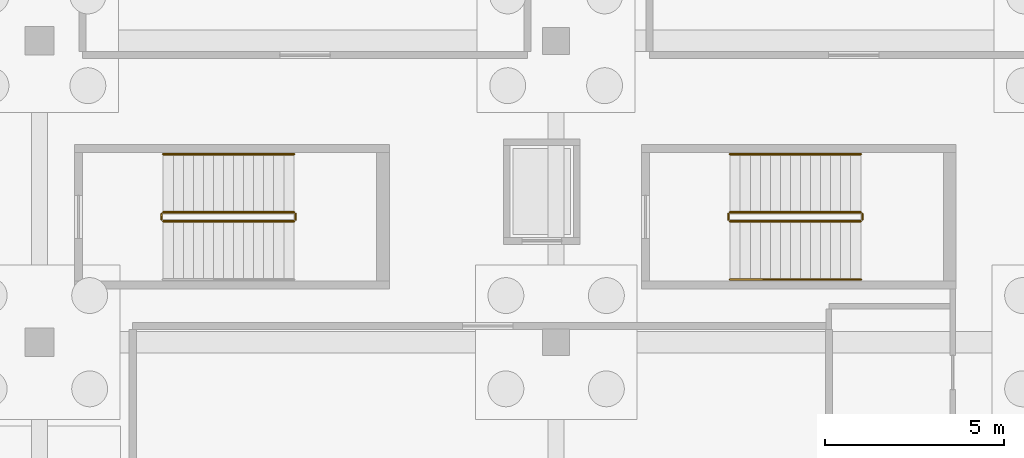
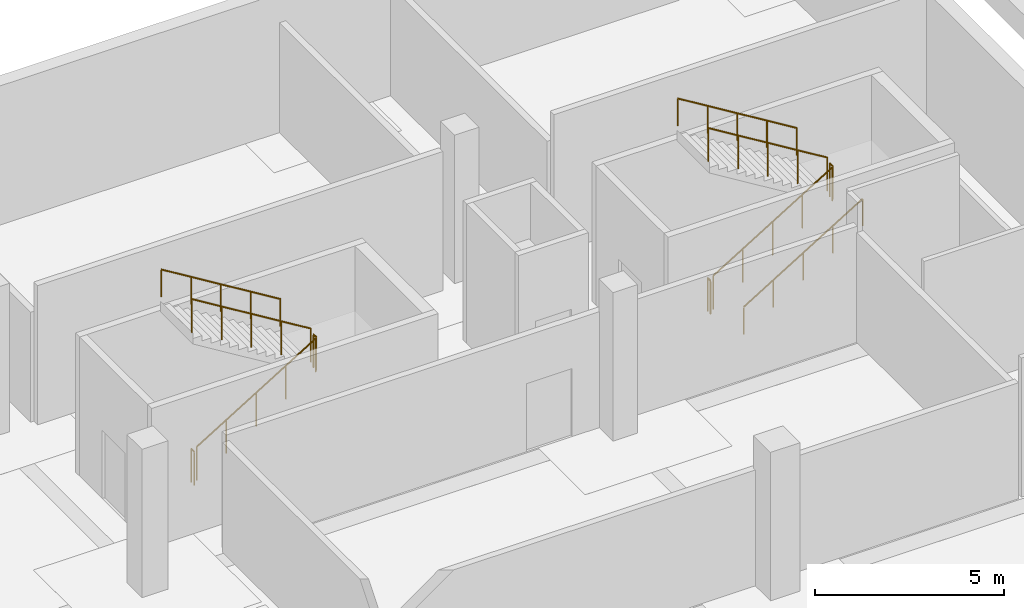
# One storey, part 25 of 26: 11 railings.
"""IFC4 building model written with IfcOpenShell, lengths in metres."""

from ifc_helpers import new_model, si_unit, direction, frame, origin, origin_2d, place, context, subcontext, project, spatial, circle, extrude, material, type_object, element, save


model = new_model("IFC4")

# Units and contexts
model_context = context("Model", 3, precision=1e-05, world=origin(), true_north=direction((0.0, 1.0)))
body_context = subcontext(model_context, "Body", "Model", "MODEL_VIEW")
ifc_project = project(units=[si_unit("LENGTHUNIT", "METRE"), si_unit("AREAUNIT", "SQUARE_METRE"), si_unit("VOLUMEUNIT", "CUBIC_METRE"), si_unit("PLANEANGLEUNIT", "RADIAN"), si_unit("MASSUNIT", "GRAM", prefix="KILO"), si_unit("THERMODYNAMICTEMPERATUREUNIT", "KELVIN")], contexts=[model_context])

# Site, building, storey
site_placement = place(None, origin())
site = spatial("IfcSite", under=ifc_project, at=site_placement, CompositionType="ELEMENT")
building_placement = place(site_placement, origin())
building = spatial("IfcBuilding", under=site, at=building_placement, Name="Nduvali Passage Aquatics Centre", CompositionType="ELEMENT")
storey_placement = place(building_placement, frame((0.0, 0.0, -4.800048828125)))
storey = spatial("IfcBuildingStorey", under=building, at=storey_placement, Name="B01", CompositionType="ELEMENT", Elevation=-4.800048828125)

# Railings
ifc_material = material(Name="Stainless steel balustrade", Category="steel")
railing_type_1 = type_object("IfcRailingType", Name="INT-RLG-GRD110", PredefinedType="GUARDRAIL", material=ifc_material)
railing_1_placement = place(storey_placement, frame((116.449951171875, 104.169921875, 0.17138671875)))
element("IfcRailing", 1, at=railing_1_placement, inside=storey, type_object=railing_type_1, Name="B01 ST2 stair guard 1", PredefinedType="GUARDRAIL", context=body_context, shape_type="SweptSolid", body=[
    extrude(circle(Radius=0.02392578125, at=origin_2d()), frame((0.0, 0.0, 1.076171875), z_axis=(0.852840387347, 0.0, 0.522171689878), x_axis=(0.0, 1.0, 0.0)), (0.0, 0.0, 1.0), 4.268310546875),
    extrude(circle(Radius=0.02099609375, at=origin_2d()), origin(), (0.0, 0.0, 1.0), 1.052001953125),
    extrude(circle(Radius=0.02099609375, at=origin_2d()), frame((0.91015625, 0.0, 0.55712890625)), (0.0, 0.0, 1.0), 1.052001953125),
    extrude(circle(Radius=0.02099609375, at=origin_2d()), frame((1.820068359375, 0.0, 1.1142578125)), (0.0, 0.0, 1.0), 1.052001953125),
    extrude(circle(Radius=0.02099609375, at=origin_2d()), frame((2.72998046875, 0.0, 1.671630859375)), (0.0, 0.0, 1.0), 1.052001953125),
    extrude(circle(Radius=0.02099609375, at=origin_2d()), frame((3.64013671875, 0.0, 2.228759765625)), (0.0, 0.0, 1.0), 1.052001953125),
])
railing_2_placement = place(storey_placement, frame((120.139892578125, 104.219970703125, 2.400146484375)))
element("IfcRailing", 2, at=railing_2_placement, inside=storey, type_object=railing_type_1, Name="B01 ST2 stair guard 2", PredefinedType="GUARDRAIL", context=body_context, shape_type="SweptSolid", body=[
    extrude(circle(Radius=0.02392578125, at=origin_2d()), frame((0.0, 0.0, 1.076171875), z_axis=(0.0, 1.0, 0.0), x_axis=(-1.0, 0.0, 0.0)), (0.0, 0.0, 1.0), 0.150146484375),
    extrude(circle(Radius=0.02099609375, at=origin_2d()), origin(), (0.0, 0.0, 1.0), 1.052001953125),
    extrude(circle(Radius=0.02099609375, at=origin_2d()), frame((0.0, 0.150146484375, 0.0)), (0.0, 0.0, 1.0), 1.052001953125),
])
railing_3_placement = place(storey_placement, frame((120.090087890625, 104.419921875, 2.571533203125)))
element("IfcRailing", 3, at=railing_3_placement, inside=storey, type_object=railing_type_1, Name="B01 ST2 stair guard 3", PredefinedType="GUARDRAIL", context=body_context, shape_type="SweptSolid", body=[
    extrude(circle(Radius=0.02392578125, at=origin_2d()), frame((0.0, 0.0, 1.076171875), z_axis=(-0.852865859571, 0.0, 0.52213008492), x_axis=(0.0, -1.0, 0.0)), (0.0, 0.0, 1.0), 4.26806640625),
    extrude(circle(Radius=0.02099609375, at=origin_2d()), origin(), (0.0, 0.0, 1.0), 1.052001953125),
    extrude(circle(Radius=0.02099609375, at=origin_2d()), frame((-0.91015625, 0.0, 0.55712890625)), (0.0, 0.0, 1.0), 1.052001953125),
    extrude(circle(Radius=0.02099609375, at=origin_2d()), frame((-1.820068359375, 0.0, 1.1142578125)), (0.0, 0.0, 1.0), 1.052001953125),
    extrude(circle(Radius=0.02099609375, at=origin_2d()), frame((-2.72998046875, 0.0, 1.67138671875)), (0.0, 0.0, 1.0), 1.052001953125),
    extrude(circle(Radius=0.02099609375, at=origin_2d()), frame((-3.64013671875, 0.0, 2.228515625)), (0.0, 0.0, 1.0), 1.052001953125),
])
railing_4_placement = place(storey_placement, frame((116.39990234375, 104.219970703125, 0.0)))
element("IfcRailing", 4, at=railing_4_placement, inside=storey, type_object=railing_type_1, Name="B01 ST2 stair guard 4", PredefinedType="GUARDRAIL", context=body_context, shape_type="SweptSolid", body=[
    extrude(circle(Radius=0.02392578125, at=origin_2d()), frame((0.0, 0.0, 1.076171875), z_axis=(0.0, 1.0, 0.0), x_axis=(-1.0, 0.0, 0.0)), (0.0, 0.0, 1.0), 0.150146484375),
    extrude(circle(Radius=0.02099609375, at=origin_2d()), origin(), (0.0, 0.0, 1.0), 1.052001953125),
    extrude(circle(Radius=0.02099609375, at=origin_2d()), frame((0.0, 0.150146484375, 0.0)), (0.0, 0.0, 1.0), 1.052001953125),
])
railing_5_placement = place(storey_placement, frame((100.64990234375, 104.169921875, 0.17138671875)))
element("IfcRailing", 5, at=railing_5_placement, inside=storey, type_object=railing_type_1, Name="B01 ST11 stair guard 1", PredefinedType="GUARDRAIL", context=body_context, shape_type="SweptSolid", body=[
    extrude(circle(Radius=0.02392578125, at=origin_2d()), frame((0.0, 0.0, 1.076171875), z_axis=(0.852840387347, 0.0, 0.522171689878), x_axis=(0.0, 1.0, 0.0)), (0.0, 0.0, 1.0), 4.268310546875),
    extrude(circle(Radius=0.02099609375, at=origin_2d()), origin(), (0.0, 0.0, 1.0), 1.052001953125),
    extrude(circle(Radius=0.02099609375, at=origin_2d()), frame((0.91015625, 0.0, 0.55712890625)), (0.0, 0.0, 1.0), 1.052001953125),
    extrude(circle(Radius=0.02099609375, at=origin_2d()), frame((1.820068359375, 0.0, 1.1142578125)), (0.0, 0.0, 1.0), 1.052001953125),
    extrude(circle(Radius=0.02099609375, at=origin_2d()), frame((2.72998046875, 0.0, 1.671630859375)), (0.0, 0.0, 1.0), 1.052001953125),
    extrude(circle(Radius=0.02099609375, at=origin_2d()), frame((3.64013671875, 0.0, 2.228759765625)), (0.0, 0.0, 1.0), 1.052001953125),
])
railing_6_placement = place(storey_placement, frame((104.340087890625, 104.219970703125, 2.400146484375)))
element("IfcRailing", 6, at=railing_6_placement, inside=storey, type_object=railing_type_1, Name="B01 ST11 stair guard 2", PredefinedType="GUARDRAIL", context=body_context, shape_type="SweptSolid", body=[
    extrude(circle(Radius=0.02392578125, at=origin_2d()), frame((0.0, 0.0, 1.076171875), z_axis=(0.0, 1.0, 0.0), x_axis=(-1.0, 0.0, 0.0)), (0.0, 0.0, 1.0), 0.150146484375),
    extrude(circle(Radius=0.02099609375, at=origin_2d()), origin(), (0.0, 0.0, 1.0), 1.052001953125),
    extrude(circle(Radius=0.02099609375, at=origin_2d()), frame((0.0, 0.150146484375, 0.0)), (0.0, 0.0, 1.0), 1.052001953125),
])
railing_7_placement = place(storey_placement, frame((104.2900390625, 104.419921875, 2.571533203125)))
element("IfcRailing", 7, at=railing_7_placement, inside=storey, type_object=railing_type_1, Name="B01 ST11 stair guard 3", PredefinedType="GUARDRAIL", context=body_context, shape_type="SweptSolid", body=[
    extrude(circle(Radius=0.02392578125, at=origin_2d()), frame((0.0, 0.0, 1.076171875), z_axis=(-0.852865859571, 0.0, 0.52213008492), x_axis=(0.0, -1.0, 0.0)), (0.0, 0.0, 1.0), 4.26806640625),
    extrude(circle(Radius=0.02099609375, at=origin_2d()), origin(), (0.0, 0.0, 1.0), 1.052001953125),
    extrude(circle(Radius=0.02099609375, at=origin_2d()), frame((-0.91015625, 0.0, 0.55712890625)), (0.0, 0.0, 1.0), 1.052001953125),
    extrude(circle(Radius=0.02099609375, at=origin_2d()), frame((-1.820068359375, 0.0, 1.1142578125)), (0.0, 0.0, 1.0), 1.052001953125),
    extrude(circle(Radius=0.02099609375, at=origin_2d()), frame((-2.72998046875, 0.0, 1.67138671875)), (0.0, 0.0, 1.0), 1.052001953125),
    extrude(circle(Radius=0.02099609375, at=origin_2d()), frame((-3.64013671875, 0.0, 2.228515625)), (0.0, 0.0, 1.0), 1.052001953125),
])
railing_8_placement = place(storey_placement, frame((100.60009765625, 104.219970703125, 0.0)))
element("IfcRailing", 8, at=railing_8_placement, inside=storey, type_object=railing_type_1, Name="B01 ST11 stair guard 4", PredefinedType="GUARDRAIL", context=body_context, shape_type="SweptSolid", body=[
    extrude(circle(Radius=0.02392578125, at=origin_2d()), frame((0.0, 0.0, 1.076171875), z_axis=(0.0, 1.0, 0.0), x_axis=(-1.0, 0.0, 0.0)), (0.0, 0.0, 1.0), 0.150146484375),
    extrude(circle(Radius=0.02099609375, at=origin_2d()), origin(), (0.0, 0.0, 1.0), 1.052001953125),
    extrude(circle(Radius=0.02099609375, at=origin_2d()), frame((0.0, 0.150146484375, 0.0)), (0.0, 0.0, 1.0), 1.052001953125),
])
railing_type_2 = type_object("IfcRailingType", Name="INT-RLG-HND90", PredefinedType="HANDRAIL", material=ifc_material)
railing_9_placement = place(storey_placement, frame((116.449951171875, 102.550048828125, 0.346435546875)))
element("IfcRailing", 9, at=railing_9_placement, inside=storey, type_object=railing_type_2, Name="B01 ST2 stair handrail 1", PredefinedType="HANDRAIL", context=body_context, shape_type="SweptSolid", body=[
    extrude(circle(Radius=0.02392578125, at=origin_2d()), frame((0.0, 0.0, 0.8759765625), z_axis=(0.852865859571, 0.0, 0.52213008492), x_axis=(0.0, 1.0, 0.0)), (0.0, 0.0, 1.0), 4.26806640625),
    extrude(circle(Radius=0.02099609375, at=origin_2d()), origin(), (0.0, 0.0, 1.0), 0.851806640625),
    extrude(circle(Radius=0.02099609375, at=origin_2d()), frame((0.91015625, 0.0, 0.55712890625)), (0.0, 0.0, 1.0), 0.851806640625),
    extrude(circle(Radius=0.02099609375, at=origin_2d()), frame((1.820068359375, 0.0, 1.1142578125)), (0.0, 0.0, 1.0), 0.851806640625),
    extrude(circle(Radius=0.02099609375, at=origin_2d()), frame((2.72998046875, 0.0, 1.67138671875)), (0.0, 0.0, 1.0), 0.851806640625),
    extrude(circle(Radius=0.02099609375, at=origin_2d()), frame((3.64013671875, 0.0, 2.228515625)), (0.0, 0.0, 1.0), 0.851806640625),
])
for number, where, name in (
    (10, (120.090087890625, 106.0400390625, 2.746337890625), "B01 ST2 stair handrail 2"),
    (11, (104.2900390625, 106.0400390625, 2.746337890625), "B01 ST11 stair handrail 2"),
):
    element("IfcRailing", number, at=place(storey_placement, frame(where)), inside=storey, type_object=railing_type_2, Name=name, PredefinedType="HANDRAIL", context=body_context, shape_type="SweptSolid", body=[
        extrude(circle(Radius=0.02392578125, at=origin_2d()), frame((0.0, 0.0, 0.8759765625), z_axis=(-0.852840387347, 0.0, 0.522171689878), x_axis=(0.0, -1.0, 0.0)), (0.0, 0.0, 1.0), 4.268310546875),
        extrude(circle(Radius=0.02099609375, at=origin_2d()), origin(), (0.0, 0.0, 1.0), 0.851806640625),
        extrude(circle(Radius=0.02099609375, at=origin_2d()), frame((-0.91015625, 0.0, 0.55712890625)), (0.0, 0.0, 1.0), 0.851806640625),
        extrude(circle(Radius=0.02099609375, at=origin_2d()), frame((-1.820068359375, 0.0, 1.1142578125)), (0.0, 0.0, 1.0), 0.851806640625),
        extrude(circle(Radius=0.02099609375, at=origin_2d()), frame((-2.72998046875, 0.0, 1.671630859375)), (0.0, 0.0, 1.0), 0.851806640625),
        extrude(circle(Radius=0.02099609375, at=origin_2d()), frame((-3.64013671875, 0.0, 2.228759765625)), (0.0, 0.0, 1.0), 0.851806640625),
    ])

save(model, "model.ifc")
